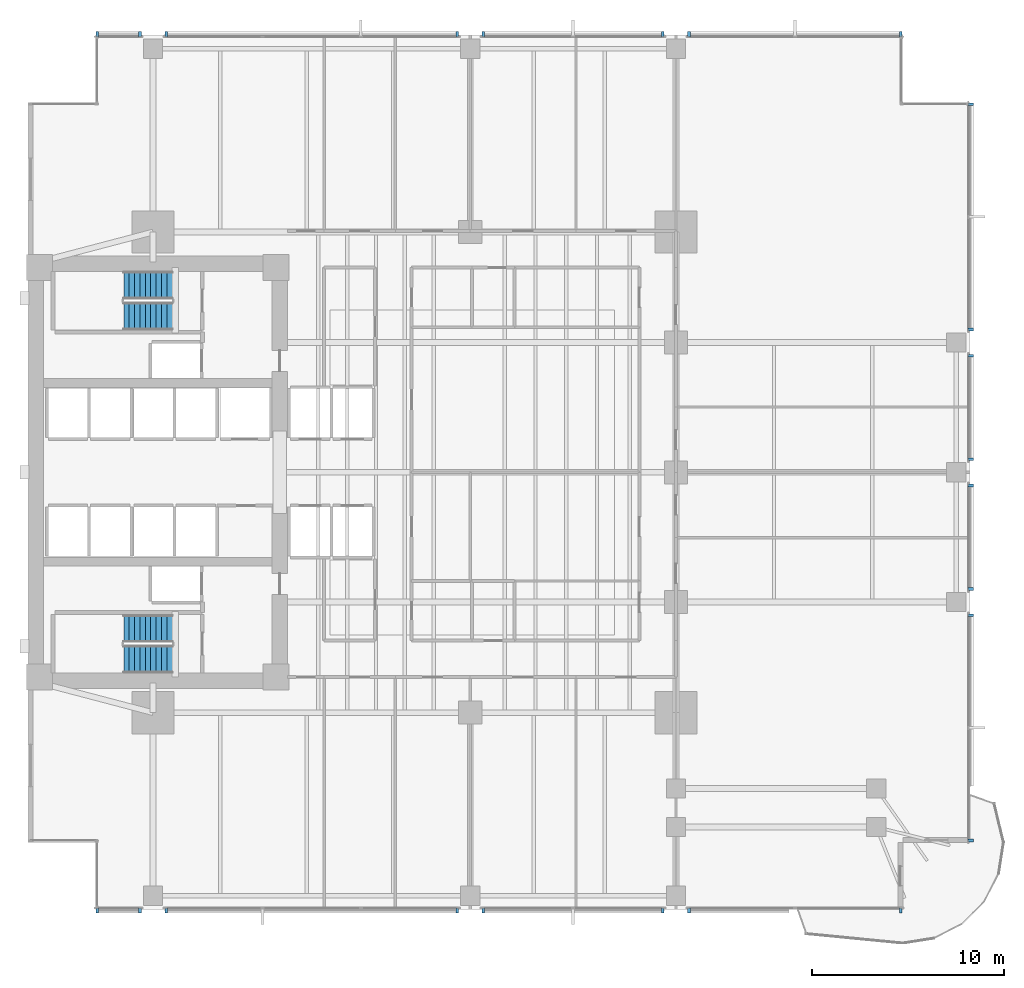
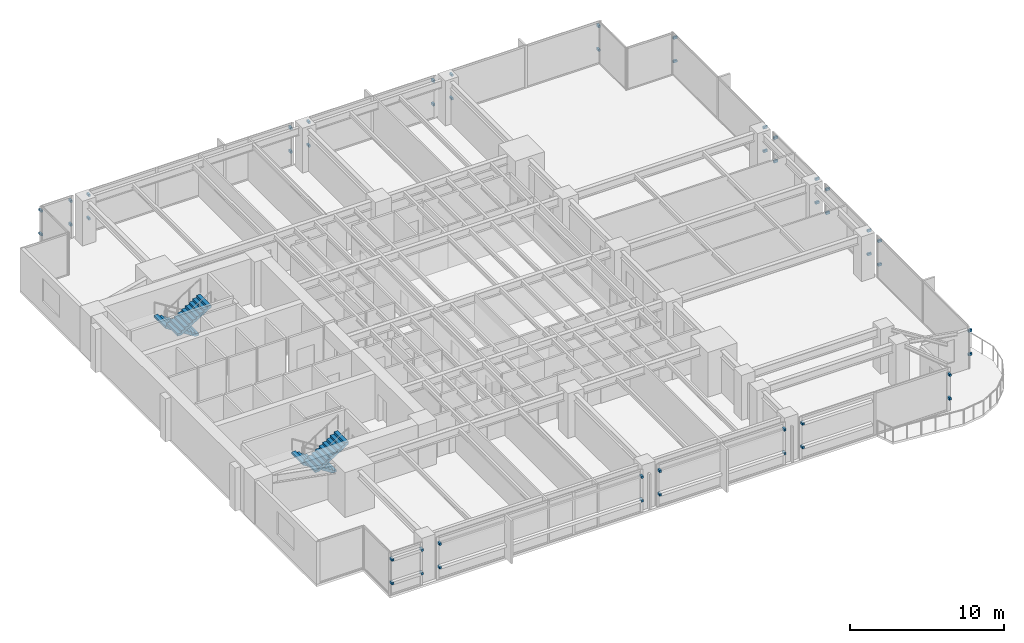
# One storey, part 11 of 15: 48 discrete accessories, 4 stair flights, 2 elements without a shape of their own.
"""IFC4 building model written with IfcOpenShell, lengths in metres."""

import ifcopenshell
import ifcopenshell.guid

model = None  # the IFC model being written
_history = None  # IfcOwnerHistory: only IFC2X3 demands one
_inside = {}  # id of a spatial element -> (the spatial element, [elements in it])
_under = {}  # id of a project, library or spatial element -> (it, [spatial elements below it])
_declared = {}  # id of a project -> (the project, [libraries it declares])
_typed = {}  # id of a type object -> (the type object, [elements of that type])
_made_of = {}  # id of a material, layer set ... -> (it, [elements and type objects made of it])


def new_model(schema):
    """Start an empty IFC model of exactly this schema.

    Asked for "IFC4X3", IfcOpenShell would pick the latest addendum, in which some entities
    have other attributes; the version numbers below select the first issue.
    IFC2X3 requires an IfcOwnerHistory on every rooted entity: one is made here for all.
    """
    global model, _history
    if schema == "IFC4X3":
        model = ifcopenshell.file(schema_version=(4, 3, 0, 0))
    else:
        model = ifcopenshell.file(schema=schema)
    _inside.clear()
    _under.clear()
    _declared.clear()
    _typed.clear()
    _made_of.clear()
    _history = None
    if model.schema == "IFC2X3":
        org = make("IfcOrganization", Name="unknown")
        user = make(
            "IfcPersonAndOrganization",
            ThePerson=make("IfcPerson", FamilyName="unknown"),
            TheOrganization=org,
        )
        app = make(
            "IfcApplication",
            ApplicationDeveloper=org,
            Version="unknown",
            ApplicationFullName="unknown",
            ApplicationIdentifier="unknown",
        )
        _history = make(
            "IfcOwnerHistory",
            OwningUser=user,
            OwningApplication=app,
            ChangeAction="ADDED",
            CreationDate=0,
        )
    return model


def make(cls, **values):
    """One entity of the class cls with the attributes given. An attribute that is None is left unset."""
    return model.create_entity(
        cls, **{name: value for name, value in values.items() if value is not None}
    )


def rooted(cls, **values):
    """An entity with a GlobalId (a new one), such as an element, a storey or a relation."""
    return make(cls, GlobalId=ifcopenshell.guid.new(), OwnerHistory=_history, **values)


def si_unit(unit_type, name, prefix=None):
    """IfcSIUnit, for example si_unit("LENGTHUNIT", "METRE", prefix="MILLI")."""
    return make("IfcSIUnit", UnitType=unit_type, Prefix=prefix, Name=name)


def assignment(units):
    """IfcUnitAssignment: the units of a project."""
    return None if units is None else make("IfcUnitAssignment", Units=units)


def point(xyz):
    """IfcCartesianPoint."""
    return None if xyz is None else make("IfcCartesianPoint", Coordinates=xyz)


def direction(xyz):
    """IfcDirection."""
    return None if xyz is None else make("IfcDirection", DirectionRatios=xyz)


def frame(location, z_axis=None, x_axis=None):
    """IfcAxis2Placement3D, a coordinate frame: its origin and axes. An axis left out is left unset."""
    return make(
        "IfcAxis2Placement3D",
        Location=point(location),
        Axis=direction(z_axis),
        RefDirection=direction(x_axis),
    )


def frame_2d(location, x_axis=None):
    """IfcAxis2Placement2D, a coordinate frame in the plane: its origin and x axis."""
    return make(
        "IfcAxis2Placement2D", Location=point(location), RefDirection=direction(x_axis)
    )


def origin():
    """The frame at (0, 0, 0) with its axes left unset."""
    return frame((0.0, 0.0, 0.0))


def origin_2d():
    """The frame at (0, 0) in the plane with its x axis left unset."""
    return frame_2d((0.0, 0.0))


def place(relative_to, where):
    """IfcLocalPlacement: puts the frame where relative to a parent placement (None: the world)."""
    return make(
        "IfcLocalPlacement", PlacementRelTo=relative_to, RelativePlacement=where
    )


def context(
    kind, dimensions, precision=None, world=None, true_north=None, identifier=None
):
    """IfcGeometricRepresentationContext, for example the 3D "Model" context."""
    return make(
        "IfcGeometricRepresentationContext",
        ContextIdentifier=identifier,
        ContextType=kind,
        CoordinateSpaceDimension=dimensions,
        Precision=precision,
        WorldCoordinateSystem=world,
        TrueNorth=true_north,
    )


def subcontext(parent, identifier, kind, view, scale=None):
    """IfcGeometricRepresentationSubContext, for example "Body" below "Model"."""
    return make(
        "IfcGeometricRepresentationSubContext",
        ContextIdentifier=identifier,
        ContextType=kind,
        ParentContext=parent,
        TargetScale=scale,
        TargetView=view,
    )


def project(units=None, contexts=None):
    """IfcProject with its units and contexts."""
    return rooted(
        "IfcProject",
        Name="project",
        RepresentationContexts=contexts,
        UnitsInContext=assignment(units),
    )


def spatial(cls, under=None, at=None, **own):
    """A site, building, storey or space (cls), placed at a placement, below another one or the project."""
    s = rooted(cls, ObjectPlacement=at, **own)
    if under is not None:
        _under.setdefault(under.id(), (under, []))[1].append(s)
    return s


def polyline(points):
    """IfcPolyline through the points."""
    return make("IfcPolyline", Points=[point(p) for p in points])


def profile(cls, at=None, kind="AREA", **sizes):
    """A parametric profile (cls). Its sizes go by their IFC names, for example OverallWidth=200.0."""
    return make(cls, ProfileType=kind, Position=at, **sizes)


def rectangle(**sizes):
    """IfcRectangleProfileDef."""
    return profile("IfcRectangleProfileDef", **sizes)


def outline(outer, holes=None, kind="AREA"):
    """IfcArbitraryClosedProfileDef: a profile drawn as a closed curve; with holes, ...WithVoids."""
    if holes is None:
        return make("IfcArbitraryClosedProfileDef", ProfileType=kind, OuterCurve=outer)
    return make(
        "IfcArbitraryProfileDefWithVoids",
        ProfileType=kind,
        OuterCurve=outer,
        InnerCurves=holes,
    )


def extrude(swept, where, along, depth):
    """IfcExtrudedAreaSolid: the profile swept, set in the frame where, extruded along a direction by depth."""
    return make(
        "IfcExtrudedAreaSolid",
        SweptArea=swept,
        Position=where,
        ExtrudedDirection=direction(along),
        Depth=depth,
    )


def shape(context_of_items, identifier, shape_type, items):
    """IfcShapeRepresentation: the items that make up one representation, for example the "Body"."""
    return make(
        "IfcShapeRepresentation",
        ContextOfItems=context_of_items,
        RepresentationIdentifier=identifier,
        RepresentationType=shape_type,
        Items=items,
    )


def material(Name=None, Category=None):
    """IfcMaterial."""
    return make("IfcMaterial", Name=Name, Category=Category)


def made_of(thing, what):
    """Note that an element or type object is made of a material, layer set ...; save() writes the relation."""
    if what is not None:
        _made_of.setdefault(what.id(), (what, []))[1].append(thing)
    return thing


def type_object(cls, material=None, **own):
    """A type object (cls), such as IfcWallType, which elements share."""
    return made_of(rooted(cls, **own), material)


def element(
    cls,
    number,
    at=None,
    inside=None,
    cuts=None,
    type_object=None,
    material=None,
    context=None,
    identifier="Body",
    shape_type=None,
    held_by="IfcProductDefinitionShape",
    body=None,
    shapes=None,
    **own,
):
    """One element of the class cls, such as IfcWall. Its Tag is "e" and its number.

    at: its placement. inside: the storey or other place that contains it. cuts: it is an
    opening in that element (IfcRelVoidsElement). A single representation is given by context,
    identifier, shape_type and body (its items); several are given by shapes. held_by: the class
    of the entity that holds the representations. save() writes the other relations.
    """
    e = rooted(cls, Tag="e%d" % number, ObjectPlacement=at, **own)
    if body is not None:
        shapes = [shape(context, identifier, shape_type, body)]
    if shapes is not None:
        e.Representation = make(held_by, Representations=shapes)
    if inside is not None:
        _inside.setdefault(inside.id(), (inside, []))[1].append(e)
    if cuts is not None:
        rooted(
            "IfcRelVoidsElement", RelatingBuildingElement=cuts, RelatedOpeningElement=e
        )
    if type_object is not None:
        _typed.setdefault(type_object.id(), (type_object, []))[1].append(e)
    return made_of(e, material)


def aggregate(whole, parts):
    """IfcRelAggregates: a whole, such as a stair, and the parts it consists of."""
    return rooted("IfcRelAggregates", RelatingObject=whole, RelatedObjects=parts)


def save(model, path):
    """Write the relations noted so far, then the file.

    IfcRelAggregates (storeys below a building ...), IfcRelContainedInSpatialStructure (elements
    in a storey), IfcRelDefinesByType, IfcRelAssociatesMaterial and IfcRelDeclares: one each for
    every whole, place, type object, material and project.
    """
    for whole, parts in _under.values():
        aggregate(whole, parts)
    for where, things in _inside.values():
        rooted(
            "IfcRelContainedInSpatialStructure",
            RelatedElements=things,
            RelatingStructure=where,
        )
    for kind, things in _typed.values():
        rooted("IfcRelDefinesByType", RelatedObjects=things, RelatingType=kind)
    for what, things in _made_of.values():
        rooted("IfcRelAssociatesMaterial", RelatedObjects=things, RelatingMaterial=what)
    for by, libraries in _declared.values():
        rooted("IfcRelDeclares", RelatingContext=by, RelatedDefinitions=libraries)
    model.write(path)


model = new_model("IFC4")

# Units and contexts
model_context = context("Model", 3, precision=1e-05, world=origin(), true_north=direction((0.0, 1.0)))
body_context = subcontext(model_context, "Body", "Model", "MODEL_VIEW")
ifc_project = project(units=[si_unit("LENGTHUNIT", "METRE"), si_unit("AREAUNIT", "SQUARE_METRE"), si_unit("VOLUMEUNIT", "CUBIC_METRE"), si_unit("PLANEANGLEUNIT", "RADIAN"), si_unit("MASSUNIT", "GRAM", prefix="KILO")], contexts=[model_context])

# Site, building, storey
site_placement = place(None, origin())
site = spatial("IfcSite", under=ifc_project, at=site_placement, CompositionType="ELEMENT")
building_placement = place(site_placement, origin())
building = spatial("IfcBuilding", under=site, at=building_placement, Name="Kinhvarn Gate Tower", CompositionType="ELEMENT")
storey_placement = place(building_placement, frame((0.0, 0.0, 61.10009765625)))
storey = spatial("IfcBuildingStorey", under=building, at=storey_placement, Name="L15", CompositionType="ELEMENT", Elevation=61.10009765625)

# Stair, stair flights
ifc_material_1 = material(Name="Concrete C40/50", Category="concrete")
stair_type = type_object("IfcStairType", Name="STR-DLG-178", PredefinedType="HALF_TURN_STAIR", material=ifc_material_1)
stair_1_placement = place(storey_placement, origin())
stair_1 = element("IfcStair", 1, at=stair_1_placement, inside=storey, type_object=stair_type, Name="L15 Core Smokeproof Exit Stair ST1", PredefinedType="HALF_TURN_STAIR")
stair_flight_type = type_object("IfcStairFlightType", Name="STF-DLG-178", PredefinedType="STRAIGHT", material=ifc_material_1)
stair_flight_1_placement = place(storey_placement, frame((12.0, 17.125, 0.0), z_axis=(0.0, 0.0, 1.0), x_axis=(-1.0, 0.0, 0.0)))
stair_flight_1 = element("IfcStairFlight", 2, at=stair_flight_1_placement, type_object=stair_flight_type, Name="ST1 flight 1", NumberOfRisers=10, NumberOfTreads=9, PredefinedType="STRAIGHT", RiserHeight=0.1775, TreadLength=0.28, context=body_context, shape_type="SweptSolid", body=[
    extrude(outline(polyline([(0.0, 0.0), (0.0, 0.177490234375), (0.280029296875, 0.177490234375), (0.280029296875, 0.35498046875), (0.56005859375, 0.35498046875), (0.56005859375, 0.532470703125), (0.840087890625, 0.532470703125), (0.840087890625, 0.7099609375), (1.1201171875, 0.7099609375), (1.1201171875, 0.887451171875), (1.39990234375, 0.887451171875), (1.39990234375, 1.06494140625), (1.679931640625, 1.06494140625), (1.679931640625, 1.242431640625), (1.9599609375, 1.242431640625), (1.9599609375, 1.419921875), (2.239990234375, 1.419921875), (2.239990234375, 1.597412109375), (2.52001953125, 1.597412109375), (2.52001953125, 1.77490234375), (2.52001953125, 1.419921875), (0.280029296875, 0.0), (0.0, 0.0)])), frame((0.0, 0.72509765625, 0.0), z_axis=(0.0, -1.0, 0.0), x_axis=(1.0, 0.0, 0.0)), (0.0, 0.0, 1.0), 1.449951171875),
])
stair_flight_2_placement = place(storey_placement, frame((9.47998046875, 15.52490234375, 1.77490234375), z_axis=(0.0, 0.0, 1.0), x_axis=(1.0, 0.0, 0.0)))
stair_flight_2 = element("IfcStairFlight", 3, at=stair_flight_2_placement, type_object=stair_flight_type, Name="ST1 flight 2", NumberOfRisers=10, NumberOfTreads=9, PredefinedType="STRAIGHT", RiserHeight=0.1775, TreadLength=0.28, context=body_context, shape_type="SweptSolid", body=[
    extrude(outline(polyline([(0.0, 0.0), (0.0, 0.177490234375), (0.280029296875, 0.177490234375), (0.280029296875, 0.35498046875), (0.56005859375, 0.35498046875), (0.56005859375, 0.532470703125), (0.840087890625, 0.532470703125), (0.840087890625, 0.7099609375), (1.1201171875, 0.7099609375), (1.1201171875, 0.887451171875), (1.39990234375, 0.887451171875), (1.39990234375, 1.06494140625), (1.679931640625, 1.06494140625), (1.679931640625, 1.242431640625), (1.9599609375, 1.242431640625), (1.9599609375, 1.419921875), (2.239990234375, 1.419921875), (2.239990234375, 1.597412109375), (2.52001953125, 1.597412109375), (2.52001953125, 1.77490234375), (2.52001953125, 1.419921875), (0.280029296875, 0.0), (0.0, 0.0)])), frame((0.0, 0.72509765625, 0.0), z_axis=(0.0, -1.0, 0.0), x_axis=(1.0, 0.0, 0.0)), (0.0, 0.0, 1.0), 1.449951171875),
])
aggregate(stair_1, [stair_flight_1, stair_flight_2])

stair_2_placement = place(storey_placement, origin())
stair_2 = element("IfcStair", 4, at=stair_2_placement, inside=storey, type_object=stair_type, Name="L15 Core Smokeproof Exit Stair ST2", PredefinedType="HALF_TURN_STAIR")
stair_flight_3_placement = place(storey_placement, frame((12.0, 34.97509765625, 0.0), z_axis=(0.0, 0.0, 1.0), x_axis=(-1.0, 0.0, 0.0)))
stair_flight_3 = element("IfcStairFlight", 5, at=stair_flight_3_placement, type_object=stair_flight_type, Name="ST2 flight 1", NumberOfRisers=10, NumberOfTreads=9, PredefinedType="STRAIGHT", RiserHeight=0.1775, TreadLength=0.28, context=body_context, shape_type="SweptSolid", body=[
    extrude(outline(polyline([(0.0, 0.0), (0.0, 0.177490234375), (0.280029296875, 0.177490234375), (0.280029296875, 0.35498046875), (0.56005859375, 0.35498046875), (0.56005859375, 0.532470703125), (0.840087890625, 0.532470703125), (0.840087890625, 0.7099609375), (1.1201171875, 0.7099609375), (1.1201171875, 0.887451171875), (1.39990234375, 0.887451171875), (1.39990234375, 1.06494140625), (1.679931640625, 1.06494140625), (1.679931640625, 1.242431640625), (1.9599609375, 1.242431640625), (1.9599609375, 1.419921875), (2.239990234375, 1.419921875), (2.239990234375, 1.597412109375), (2.52001953125, 1.597412109375), (2.52001953125, 1.77490234375), (2.52001953125, 1.419921875), (0.280029296875, 0.0), (0.0, 0.0)])), frame((0.0, 0.72509765625, 0.0), z_axis=(0.0, -1.0, 0.0), x_axis=(1.0, 0.0, 0.0)), (0.0, 0.0, 1.0), 1.449951171875),
])
stair_flight_4_placement = place(storey_placement, frame((9.47998046875, 33.375, 1.77490234375), z_axis=(0.0, 0.0, 1.0), x_axis=(1.0, 0.0, 0.0)))
stair_flight_4 = element("IfcStairFlight", 6, at=stair_flight_4_placement, type_object=stair_flight_type, Name="ST2 flight 2", NumberOfRisers=10, NumberOfTreads=9, PredefinedType="STRAIGHT", RiserHeight=0.1775, TreadLength=0.28, context=body_context, shape_type="SweptSolid", body=[
    extrude(outline(polyline([(0.0, 0.0), (0.0, 0.177490234375), (0.280029296875, 0.177490234375), (0.280029296875, 0.35498046875), (0.56005859375, 0.35498046875), (0.56005859375, 0.532470703125), (0.840087890625, 0.532470703125), (0.840087890625, 0.7099609375), (1.1201171875, 0.7099609375), (1.1201171875, 0.887451171875), (1.39990234375, 0.887451171875), (1.39990234375, 1.06494140625), (1.679931640625, 1.06494140625), (1.679931640625, 1.242431640625), (1.9599609375, 1.242431640625), (1.9599609375, 1.419921875), (2.239990234375, 1.419921875), (2.239990234375, 1.597412109375), (2.52001953125, 1.597412109375), (2.52001953125, 1.77490234375), (2.52001953125, 1.419921875), (0.280029296875, 0.0), (0.0, 0.0)])), frame((0.0, 0.72509765625, 0.0), z_axis=(0.0, -1.0, 0.0), x_axis=(1.0, 0.0, 0.0)), (0.0, 0.0, 1.0), 1.449951171875),
])
aggregate(stair_2, [stair_flight_3, stair_flight_4])

# Discrete accessories
ifc_material_2 = material(Name="Anodised aluminium AW-6063", Category="aluminium")
discrete_accessory_type = type_object("IfcDiscreteAccessoryType", Name="ACC-BRK-01", PredefinedType="BRACKET", material=ifc_material_2)
for number, where, z_axis, x_axis, name in (
    (7, (8.10009765625, 2.4599609375, 0.9599609375), (0.0, 0.0, 1.0), (1.0, 0.0, 0.0), "Baguette Support Bracket BK-01 (L15)"),
    (8, (8.10009765625, 2.4599609375, 2.830078125), (0.0, 0.0, 1.0), (1.0, 0.0, 0.0), "Baguette Support Bracket BK-01 (L15)"),
    (9, (10.320068359375, 2.4599609375, 0.9599609375), (0.0, 0.0, 1.0), (1.0, 0.0, 0.0), "Baguette Support Bracket BK-01 (L15)"),
    (10, (10.320068359375, 2.4599609375, 2.830078125), (0.0, 0.0, 1.0), (1.0, 0.0, 0.0), "Baguette Support Bracket BK-01 (L15)"),
    (11, (11.679931640625, 2.4599609375, 0.9599609375), (0.0, 0.0, 1.0), (1.0, 0.0, 0.0), "Baguette Support Bracket BK-01 (L15)"),
    (12, (11.679931640625, 2.4599609375, 2.830078125), (0.0, 0.0, 1.0), (1.0, 0.0, 0.0), "Baguette Support Bracket BK-01 (L15)"),
    (13, (26.820068359375, 2.4599609375, 0.9599609375), (0.0, 0.0, 1.0), (1.0, 0.0, 0.0), "Baguette Support Bracket BK-01 (L15)"),
    (14, (26.820068359375, 2.4599609375, 2.830078125), (0.0, 0.0, 1.0), (1.0, 0.0, 0.0), "Baguette Support Bracket BK-01 (L15)"),
    (15, (28.179931640625, 2.4599609375, 0.9599609375), (0.0, 0.0, 1.0), (1.0, 0.0, 0.0), "Baguette Support Bracket BK-01 (L15)"),
    (16, (28.179931640625, 2.4599609375, 2.830078125), (0.0, 0.0, 1.0), (1.0, 0.0, 0.0), "Baguette Support Bracket BK-01 (L15)"),
    (17, (37.52001953125, 2.4599609375, 0.9599609375), (0.0, 0.0, 1.0), (1.0, 0.0, 0.0), "Baguette Support Bracket BK-01 (L15)"),
    (18, (37.52001953125, 2.4599609375, 2.830078125), (0.0, 0.0, 1.0), (1.0, 0.0, 0.0), "Baguette Support Bracket BK-01 (L15)"),
    (19, (38.8798828125, 2.4599609375, 0.9599609375), (0.0, 0.0, 1.0), (1.0, 0.0, 0.0), "Baguette Support Bracket BK-01 (L15)"),
    (20, (38.8798828125, 2.4599609375, 2.830078125), (0.0, 0.0, 1.0), (1.0, 0.0, 0.0), "Baguette Support Bracket BK-01 (L15)"),
    (21, (49.89990234375, 2.4599609375, 0.9599609375), (0.0, 0.0, 1.0), (1.0, 0.0, 0.0), "Baguette Support Bracket BK-01 (L15)"),
    (22, (49.89990234375, 2.4599609375, 2.830078125), (0.0, 0.0, 1.0), (1.0, 0.0, 0.0), "Baguette Support Bracket BK-01 (L15)"),
    (23, (49.89990234375, 48.0400390625, 0.9599609375), (0.0, 0.0, 1.0), (-1.0, 0.0, 0.0), "Baguette Support Bracket BK-01 (L15)"),
    (24, (49.89990234375, 48.0400390625, 2.830078125), (0.0, 0.0, 1.0), (-1.0, 0.0, 0.0), "Baguette Support Bracket BK-01 (L15)"),
    (25, (38.8798828125, 48.0400390625, 0.9599609375), (0.0, 0.0, 1.0), (-1.0, 0.0, 0.0), "Baguette Support Bracket BK-01 (L15)"),
    (26, (38.8798828125, 48.0400390625, 2.830078125), (0.0, 0.0, 1.0), (-1.0, 0.0, 0.0), "Baguette Support Bracket BK-01 (L15)"),
    (27, (37.52001953125, 48.0400390625, 0.9599609375), (0.0, 0.0, 1.0), (-1.0, 0.0, 0.0), "Baguette Support Bracket BK-01 (L15)"),
    (28, (37.52001953125, 48.0400390625, 2.830078125), (0.0, 0.0, 1.0), (-1.0, 0.0, 0.0), "Baguette Support Bracket BK-01 (L15)"),
    (29, (28.179931640625, 48.0400390625, 0.9599609375), (0.0, 0.0, 1.0), (-1.0, 0.0, 0.0), "Baguette Support Bracket BK-01 (L15)"),
    (30, (28.179931640625, 48.0400390625, 2.830078125), (0.0, 0.0, 1.0), (-1.0, 0.0, 0.0), "Baguette Support Bracket BK-01 (L15)"),
    (31, (26.820068359375, 48.0400390625, 0.9599609375), (0.0, 0.0, 1.0), (-1.0, 0.0, 0.0), "Baguette Support Bracket BK-01 (L15)"),
    (32, (26.820068359375, 48.0400390625, 2.830078125), (0.0, 0.0, 1.0), (-1.0, 0.0, 0.0), "Baguette Support Bracket BK-01 (L15)"),
    (33, (11.679931640625, 48.0400390625, 0.9599609375), (0.0, 0.0, 1.0), (-1.0, 0.0, 0.0), "Baguette Support Bracket BK-01 (L15)"),
    (34, (11.679931640625, 48.0400390625, 2.830078125), (0.0, 0.0, 1.0), (-1.0, 0.0, 0.0), "Baguette Support Bracket BK-01 (L15)"),
    (35, (10.320068359375, 48.0400390625, 0.9599609375), (0.0, 0.0, 1.0), (-1.0, 0.0, 0.0), "Baguette Support Bracket BK-01 (L15)"),
    (36, (10.320068359375, 48.0400390625, 2.830078125), (0.0, 0.0, 1.0), (-1.0, 0.0, 0.0), "Baguette Support Bracket BK-01 (L15)"),
    (37, (8.10009765625, 48.0400390625, 0.9599609375), (0.0, 0.0, 1.0), (-1.0, 0.0, 0.0), "Baguette Support Bracket BK-01 (L15)"),
    (38, (8.10009765625, 48.0400390625, 2.830078125), (0.0, 0.0, 1.0), (-1.0, 0.0, 0.0), "Baguette Support Bracket BK-01 (L15)"),
    (39, (53.5400390625, 6.10009765625, 0.9599609375), (0.0, 0.0, 1.0), (0.0, 1.0, 0.0), "Baguette Support Bracket BK-01 (L15)"),
    (40, (53.5400390625, 6.10009765625, 2.830078125), (0.0, 0.0, 1.0), (0.0, 1.0, 0.0), "Baguette Support Bracket BK-01 (L15)"),
    (41, (53.5400390625, 17.820068359375, 0.9599609375), (0.0, 0.0, 1.0), (0.0, 1.0, 0.0), "Baguette Support Bracket BK-01 (L15)"),
    (42, (53.5400390625, 17.820068359375, 2.830078125), (0.0, 0.0, 1.0), (0.0, 1.0, 0.0), "Baguette Support Bracket BK-01 (L15)"),
    (43, (53.5400390625, 19.179931640625, 0.9599609375), (0.0, 0.0, 1.0), (0.0, 1.0, 0.0), "Baguette Support Bracket BK-01 (L15)"),
    (44, (53.5400390625, 19.179931640625, 2.830078125), (0.0, 0.0, 1.0), (0.0, 1.0, 0.0), "Baguette Support Bracket BK-01 (L15)"),
    (45, (53.5400390625, 24.570068359375, 0.9599609375), (0.0, 0.0, 1.0), (0.0, 1.0, 0.0), "Baguette Support Bracket BK-01 (L15)"),
    (46, (53.5400390625, 24.570068359375, 2.830078125), (0.0, 0.0, 1.0), (0.0, 1.0, 0.0), "Baguette Support Bracket BK-01 (L15)"),
    (47, (53.5400390625, 25.929931640625, 0.9599609375), (0.0, 0.0, 1.0), (0.0, 1.0, 0.0), "Baguette Support Bracket BK-01 (L15)"),
    (48, (53.5400390625, 25.929931640625, 2.830078125), (0.0, 0.0, 1.0), (0.0, 1.0, 0.0), "Baguette Support Bracket BK-01 (L15)"),
    (49, (53.5400390625, 31.320068359375, 0.9599609375), (0.0, 0.0, 1.0), (0.0, 1.0, 0.0), "Baguette Support Bracket BK-01 (L15)"),
    (50, (53.5400390625, 31.320068359375, 2.830078125), (0.0, 0.0, 1.0), (0.0, 1.0, 0.0), "Baguette Support Bracket BK-01 (L15)"),
    (51, (53.5400390625, 32.679931640625, 0.9599609375), (0.0, 0.0, 1.0), (0.0, 1.0, 0.0), "Baguette Support Bracket BK-01 (L15)"),
    (52, (53.5400390625, 32.679931640625, 2.830078125), (0.0, 0.0, 1.0), (0.0, 1.0, 0.0), "Baguette Support Bracket BK-01 (L15)"),
    (53, (53.5400390625, 44.39990234375, 0.9599609375), (0.0, 0.0, 1.0), (0.0, 1.0, 0.0), "Baguette Support Bracket BK-01 (L15)"),
    (54, (53.5400390625, 44.39990234375, 2.830078125), (0.0, 0.0, 1.0), (0.0, 1.0, 0.0), "Baguette Support Bracket BK-01 (L15)"),
):
    element("IfcDiscreteAccessory", number, at=place(storey_placement, frame(where, z_axis=z_axis, x_axis=x_axis)), inside=storey, type_object=discrete_accessory_type, Name=name, PredefinedType="BRACKET", context=body_context, shape_type="SweptSolid", body=[
        extrude(rectangle(XDim=0.139892578125, YDim=0.280029296875, at=origin_2d()), origin(), (0.0, 0.0, 1.0), 0.179931640625),
    ])

save(model, "model.ifc")
